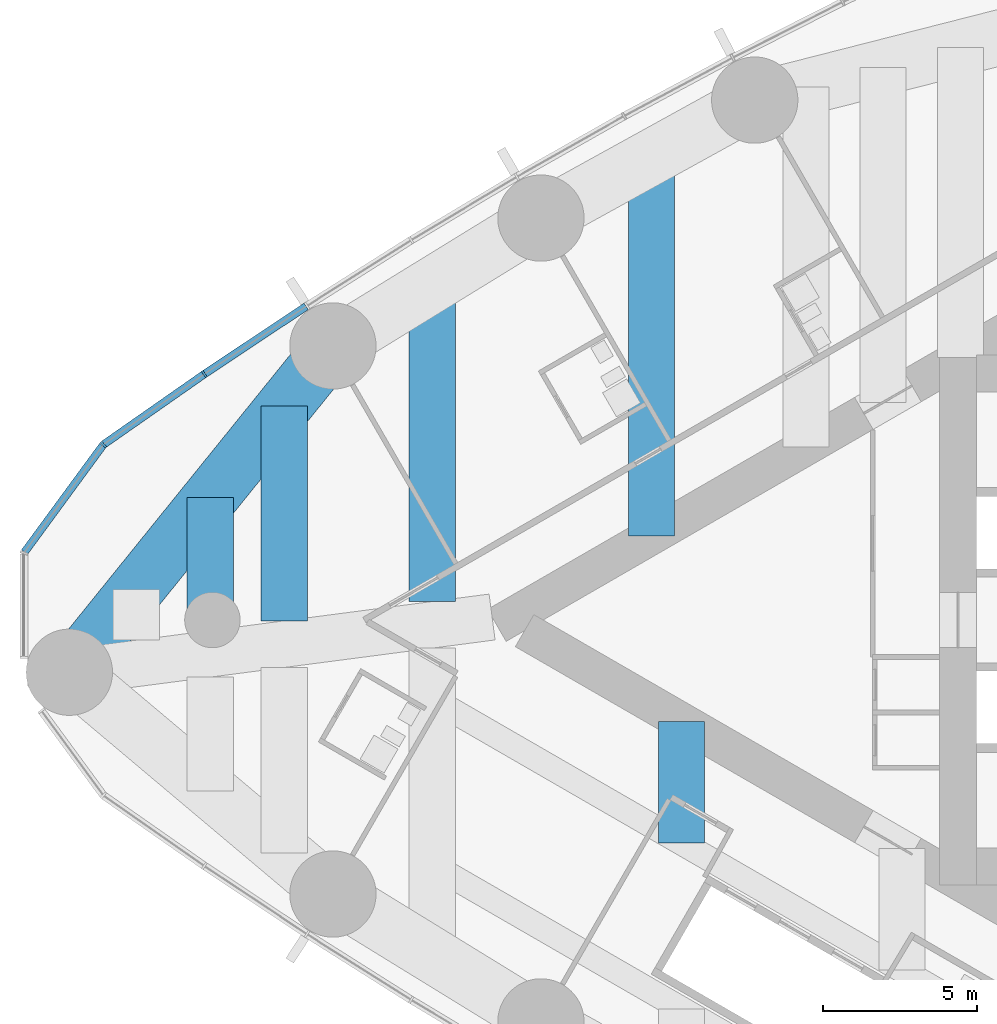
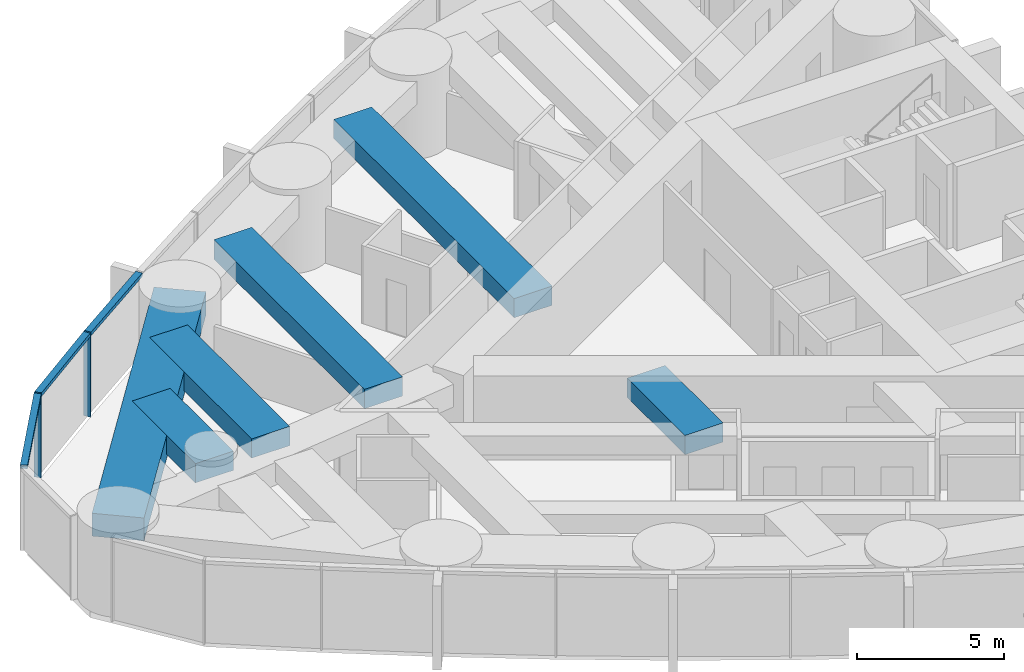
# One storey, part 3 of 19: 6 beams, 5 members, 1 element without a shape of its own.
"""IFC4 building model written with IfcOpenShell, lengths in metres."""

from ifc_helpers import new_model, si_unit, direction, frame, origin, origin_2d, place, context, subcontext, project, spatial, rectangle, extrude, material, material_profile, profile_set, type_object, element, aggregate, save


model = new_model("IFC4")

# Units and contexts
model_context = context("Model", 3, precision=1e-05, world=origin(), true_north=direction((0.0, 1.0)))
body_context = subcontext(model_context, "Body", "Model", "MODEL_VIEW")
ifc_project = project(units=[si_unit("LENGTHUNIT", "METRE"), si_unit("AREAUNIT", "SQUARE_METRE"), si_unit("VOLUMEUNIT", "CUBIC_METRE"), si_unit("PLANEANGLEUNIT", "RADIAN"), si_unit("MASSUNIT", "GRAM", prefix="KILO")], contexts=[model_context])

# Site, building, storey
site_placement = place(None, origin())
site = spatial("IfcSite", under=ifc_project, at=site_placement, CompositionType="ELEMENT")
building_placement = place(site_placement, origin())
building = spatial("IfcBuilding", under=site, at=building_placement, Name="Lancet Gate Hotel", CompositionType="ELEMENT")
storey_placement = place(building_placement, frame((0.0, 0.0, 191.300048828125)))
storey = spatial("IfcBuildingStorey", under=building, at=storey_placement, Name="L51", CompositionType="ELEMENT", Elevation=191.300048828125)

# Curtain wall, members
ifc_material_1 = material(Name="Aluminium curtain wall", Category="aluminium")
curtain_wall_type = type_object("IfcCurtainWallType", Name="Tower unitised curtain wall", PredefinedType="USERDEFINED", material=ifc_material_1)
curtain_wall_placement = place(storey_placement, origin())
curtain_wall = element("IfcCurtainWall", 1, at=curtain_wall_placement, inside=storey, type_object=curtain_wall_type, Name="T1 L51 curtain wall 2", ObjectType="UNITISED CURTAIN WALL", PredefinedType="USERDEFINED")
ifc_material_2 = material(Name="Aluminium mullion", Category="aluminium")
ifc_material_profile_1 = material_profile(ifc_material_2, rectangle(XDim=0.06494140625, YDim=0.25, at=origin_2d()), Name="MULLION 65x250")
ifc_profile_set_1 = profile_set([ifc_material_profile_1], Name="Aluminium mullion")
member_type_1 = type_object("IfcMemberType", Name="Aluminium mullion 65x250", PredefinedType="MULLION", material=ifc_profile_set_1)
member_1_placement = place(storey_placement, frame((-61.7626953125, 7.980712890625, 0.0), z_axis=(0.0, 0.0, 1.0), x_axis=(-0.826312172542, -0.563212387568, 0.0)))
member_1 = element("IfcMember", 2, at=member_1_placement, type_object=member_type_1, Name="T1 L51 curtain wall 2 mullion 10", PredefinedType="MULLION", context=body_context, shape_type="SweptSolid", body=[
    extrude(rectangle(XDim=0.06494140625, YDim=0.25, at=origin_2d()), origin(), (0.0, 0.0, 1.0), 3.5),
])
member_2_placement = place(storey_placement, frame((-65.040283203125, 5.68994140625, 0.0), z_axis=(0.0, 0.0, 1.0), x_axis=(-0.710112861968, -0.704087866155, 0.0)))
member_2 = element("IfcMember", 3, at=member_2_placement, type_object=member_type_1, Name="T1 L51 curtain wall 2 mullion 11", PredefinedType="MULLION", context=body_context, shape_type="SweptSolid", body=[
    extrude(rectangle(XDim=0.06494140625, YDim=0.25, at=origin_2d()), origin(), (0.0, 0.0, 1.0), 3.5),
])
ifc_material_3 = material(Name="Aluminium transom", Category="aluminium")
ifc_material_profile_2 = material_profile(ifc_material_3, rectangle(XDim=0.25, YDim=0.14990234375, at=origin_2d()), Name="TRANSOM 250x150")
ifc_profile_set_2 = profile_set([ifc_material_profile_2], Name="Aluminium transom")
member_type_2 = type_object("IfcMemberType", Name="Aluminium transom 250x150", PredefinedType="USERDEFINED", material=ifc_profile_set_2)
member_3_placement = place(storey_placement, frame((-58.459228515625, 10.176025390625, 3.425048828125), z_axis=(-0.832870509189, -0.553467898729, 0.0), x_axis=(0.553467898729, -0.832870509189, 0.0)))
member_3 = element("IfcMember", 4, at=member_3_placement, type_object=member_type_2, Name="T1 L51 curtain wall 2 transom 9", ObjectType="TRANSOM", PredefinedType="USERDEFINED", context=body_context, shape_type="SweptSolid", body=[
    extrude(rectangle(XDim=0.25, YDim=0.14990234375, at=origin_2d()), origin(), (0.0, 0.0, 1.0), 3.933837890625),
])
member_4_placement = place(storey_placement, frame((-61.789306640625, 7.962158203125, 3.425048828125), z_axis=(-0.819636985462, -0.572883244704, 0.0), x_axis=(0.572883244704, -0.819636985462, 0.0)))
member_4 = element("IfcMember", 5, at=member_4_placement, type_object=member_type_2, Name="T1 L51 curtain wall 2 transom 10", ObjectType="TRANSOM", PredefinedType="USERDEFINED", context=body_context, shape_type="SweptSolid", body=[
    extrude(rectangle(XDim=0.25, YDim=0.14990234375, at=origin_2d()), origin(), (0.0, 0.0, 1.0), 3.933837890625),
])
member_5_placement = place(storey_placement, frame((-65.0595703125, 5.66357421875, 3.425048828125), z_axis=(-0.591324189618, -0.806433941977, 0.0), x_axis=(0.806433941977, -0.591324189618, 0.0)))
member_5 = element("IfcMember", 6, at=member_5_placement, type_object=member_type_2, Name="T1 L51 curtain wall 2 transom 11", ObjectType="TRANSOM", PredefinedType="USERDEFINED", context=body_context, shape_type="SweptSolid", body=[
    extrude(rectangle(XDim=0.25, YDim=0.14990234375, at=origin_2d()), origin(), (0.0, 0.0, 1.0), 4.2900390625),
])
aggregate(curtain_wall, [member_1, member_2, member_3, member_4, member_5])

# Beams
ifc_material_4 = material(Name="Concrete C50/60", Category="concrete")
ifc_material_profile_3 = material_profile(ifc_material_4, rectangle(XDim=1.800048828125, YDim=0.949951171875, at=origin_2d()), Name="RC 1800x950")
ifc_profile_set_3 = profile_set([ifc_material_profile_3], Name="Concrete C50/60")
beam_type_1 = type_object("IfcBeamType", Name="Edge beam RC 1800x950", PredefinedType="SPANDREL", material=ifc_profile_set_3)
beam_1_placement = place(storey_placement, frame((-57.589599609375, 8.89306640625, 2.77490234375), z_axis=(-0.628373846765, -0.777911504416, 0.0), x_axis=(0.777911504416, -0.628373846765, 0.0)))
element("IfcBeam", 7, at=beam_1_placement, inside=storey, type_object=beam_type_1, Name="T1 edge beam EB1 L51", PredefinedType="SPANDREL", context=body_context, shape_type="SweptSolid", body=[
    extrude(rectangle(XDim=1.800048828125, YDim=0.949951171875, at=origin_2d()), origin(), (0.0, 0.0, 1.0), 13.611328125),
])
ifc_material_5 = material(Name="Concrete C50/60", Category="concrete")
ifc_material_profile_4 = material_profile(ifc_material_5, rectangle(XDim=1.5, YDim=0.800048828125, at=origin_2d()), Name="RC 1500x800")
ifc_profile_set_4 = profile_set([ifc_material_profile_4], Name="Concrete C50/60")
beam_type_2 = type_object("IfcBeamType", Name="Floor beam RC 1500x800", PredefinedType="BEAM", material=ifc_profile_set_4)
beam_2_placement = place(storey_placement, frame((-47.254638671875, 15.020751953125, 2.849853515625), z_axis=(0.0, -1.0, 0.0), x_axis=(1.0, 0.0, 0.0)))
element("IfcBeam", 8, at=beam_2_placement, inside=storey, type_object=beam_type_2, Name="T1 floor beam F09S L51", PredefinedType="BEAM", context=body_context, shape_type="SweptSolid", body=[
    extrude(rectangle(XDim=1.5, YDim=0.800048828125, at=origin_2d()), origin(), (0.0, 0.0, 1.0), 12.29931640625),
])
beam_3_placement = place(storey_placement, frame((-54.3681640625, 10.87353515625, 2.849853515625), z_axis=(0.0, -1.0, 0.0), x_axis=(1.0, 0.0, 0.0)))
element("IfcBeam", 9, at=beam_3_placement, inside=storey, type_object=beam_type_2, Name="T1 floor beam F10S L51", PredefinedType="BEAM", context=body_context, shape_type="SweptSolid", body=[
    extrude(rectangle(XDim=1.5, YDim=0.800048828125, at=origin_2d()), origin(), (0.0, 0.0, 1.0), 10.27392578125),
])
beam_4_placement = place(storey_placement, frame((-59.168212890625, 6.938720703125, 2.849853515625), z_axis=(0.0, -1.0, 0.0), x_axis=(1.0, 0.0, 0.0)))
element("IfcBeam", 10, at=beam_4_placement, inside=storey, type_object=beam_type_2, Name="T1 floor beam F12S L51", PredefinedType="BEAM", context=body_context, shape_type="SweptSolid", body=[
    extrude(rectangle(XDim=1.5, YDim=0.800048828125, at=origin_2d()), origin(), (0.0, 0.0, 1.0), 6.96630859375),
])
beam_5_placement = place(storey_placement, frame((-61.568359375, 3.967529296875, 2.849853515625), z_axis=(0.0, -1.0, 0.0), x_axis=(1.0, 0.0, 0.0)))
element("IfcBeam", 11, at=beam_5_placement, inside=storey, type_object=beam_type_2, Name="T1 floor beam F14S L51", PredefinedType="BEAM", context=body_context, shape_type="SweptSolid", body=[
    extrude(rectangle(XDim=1.5, YDim=0.800048828125, at=origin_2d()), origin(), (0.0, 0.0, 1.0), 4.308837890625),
])
beam_6_placement = place(storey_placement, frame((-46.27587890625, -3.28662109375, 2.849853515625), z_axis=(0.0, -1.0, 0.0), x_axis=(1.0, 0.0, 0.0)))
element("IfcBeam", 12, at=beam_6_placement, inside=storey, type_object=beam_type_2, Name="T1 floor beam F08NA L51", PredefinedType="BEAM", context=body_context, shape_type="SweptSolid", body=[
    extrude(rectangle(XDim=1.5, YDim=0.800048828125, at=origin_2d()), origin(), (0.0, 0.0, 1.0), 3.945556640625),
])

save(model, "model.ifc")
